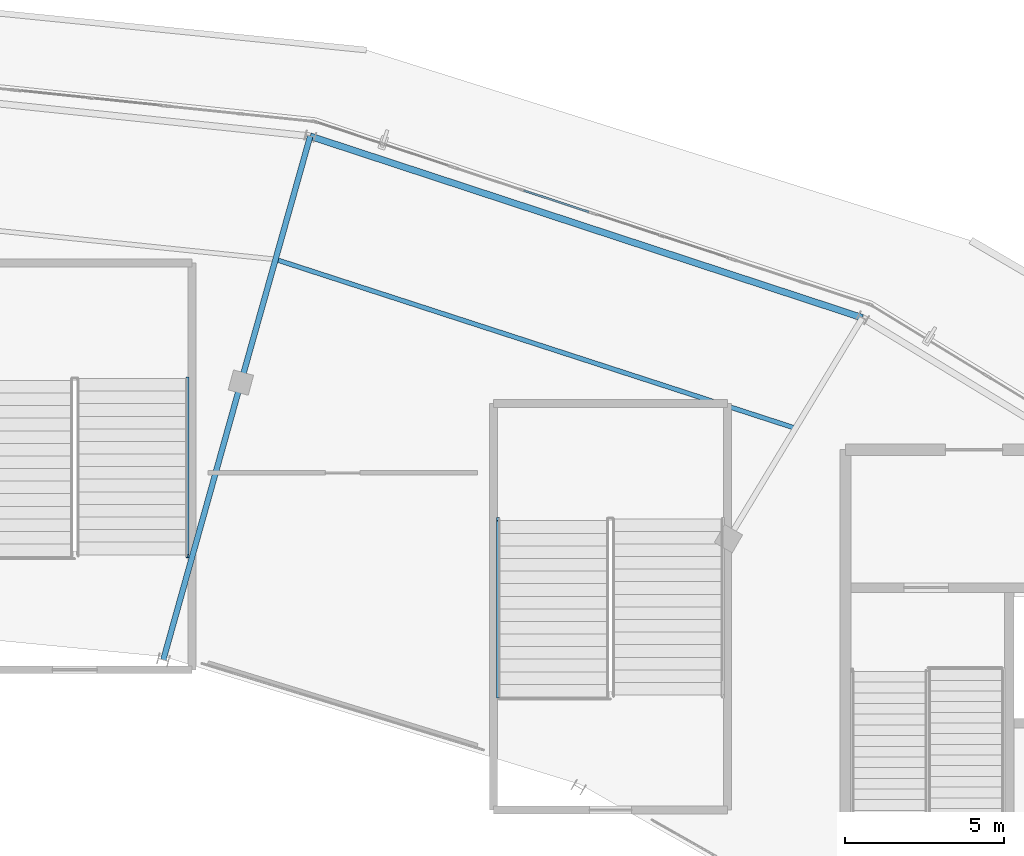
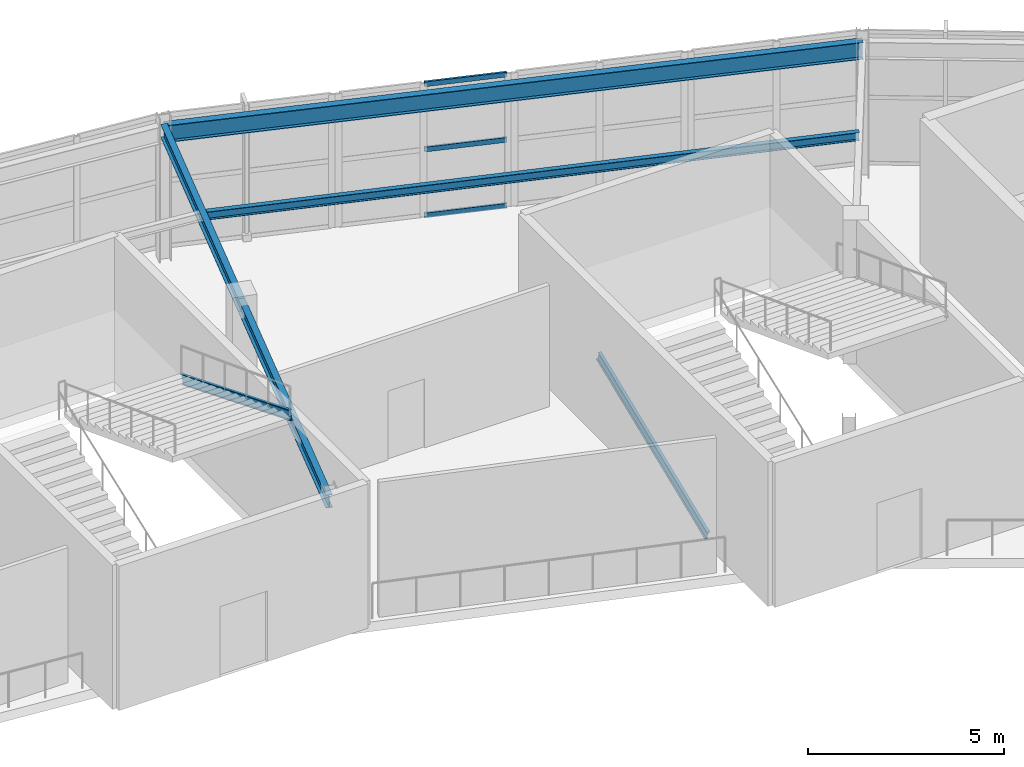
# One storey, part 75 of 126: 5 members, 4 beams, 1 element without a shape of its own.
"""IFC4 building model written with IfcOpenShell, lengths in metres."""

from ifc_helpers import new_model, si_unit, direction, frame, origin, origin_2d, place, context, subcontext, project, spatial, hollow_rectangle, i_section, extrude, material, layer, layer_set, material_profile, profile_set, type_object, element, aggregate, save


model = new_model("IFC4")

# Units and contexts
model_context = context("Model", 3, precision=1e-05, world=origin(), true_north=direction((0.0, 1.0)))
body_context = subcontext(model_context, "Body", "Model", "MODEL_VIEW")
ifc_project = project(units=[si_unit("LENGTHUNIT", "METRE"), si_unit("AREAUNIT", "SQUARE_METRE"), si_unit("VOLUMEUNIT", "CUBIC_METRE"), si_unit("PLANEANGLEUNIT", "RADIAN"), si_unit("MASSUNIT", "GRAM", prefix="KILO")], contexts=[model_context])

# Site, building, storey
site_placement = place(None, origin())
site = spatial("IfcSite", under=ifc_project, at=site_placement, CompositionType="ELEMENT")
building_placement = place(site_placement, origin())
building = spatial("IfcBuilding", under=site, at=building_placement, Name="Kalgoora Escarpment Arena", CompositionType="ELEMENT")
storey_placement = place(building_placement, frame((0.0, 0.0, 18.89990234375)))
storey = spatial("IfcBuildingStorey", under=building, at=storey_placement, Name="L04", CompositionType="ELEMENT", Elevation=18.89990234375)

# Beams
ifc_material_1 = material(Name="Structural steel AS/NZS 3679 (300 MPa)", Category="steel")
ifc_material_profile_1 = material_profile(ifc_material_1, i_section(OverallWidth=0.14599609375, OverallDepth=0.256103515625, WebThickness=0.00634765625, FlangeThickness=0.010986328125, at=origin_2d()))
ifc_profile_set_1 = profile_set([ifc_material_profile_1], Name="Structural steel AS/NZS 3679 (300 MPa)")
beam_type_1 = type_object("IfcBeamType", Name="BM-BEAM-250UB37.3", PredefinedType="BEAM", material=ifc_profile_set_1)
beam_1_placement = place(storey_placement, frame((126.199951171875, 109.8994140625, 4.08203125), z_axis=(-0.951103123122, 0.308873516489, 0.0), x_axis=(-0.308873516489, -0.951103123122, 0.0)))
element("IfcBeam", 1, at=beam_1_placement, inside=storey, type_object=beam_type_1, Name="L04 Concourse secondary ring beam 250UB37.3", PredefinedType="BEAM", context=body_context, shape_type="SweptSolid", body=[
    extrude(i_section(OverallWidth=0.14599609375, OverallDepth=0.256103515625, WebThickness=0.00634765625, FlangeThickness=0.010986328125, at=origin_2d()), origin(), (0.0, 0.0, 1.0), 17.141845703125),
])
ifc_material_2 = material(Name="Structural steel AS/NZS 3679 (300 MPa)", Category="steel")
ifc_material_profile_2 = material_profile(ifc_material_2, i_section(OverallWidth=0.177978515625, OverallDepth=0.406005859375, WebThickness=0.0078125, FlangeThickness=0.0126953125, at=origin_2d()))
ifc_profile_set_2 = profile_set([ifc_material_profile_2], Name="Structural steel AS/NZS 3679 (300 MPa)")
beam_type_2 = type_object("IfcBeamType", Name="BM-GIRDER-410UB59.7", PredefinedType="USERDEFINED", material=ifc_profile_set_2)
beam_2_placement = place(storey_placement, frame((106.376220703125, 102.636962890625, 4.007080078125), z_axis=(0.269498512386, 0.963000805722, 0.0), x_axis=(-0.963000805722, 0.269498512386, 0.0)))
element("IfcBeam", 2, at=beam_2_placement, inside=storey, type_object=beam_type_2, Name="L04 Radial concourse girder 410UB59.7", ObjectType="GIRDER", PredefinedType="USERDEFINED", context=body_context, shape_type="SweptSolid", body=[
    extrude(i_section(OverallWidth=0.177978515625, OverallDepth=0.406005859375, WebThickness=0.0078125, FlangeThickness=0.0126953125, at=origin_2d()), origin(), (0.0, 0.0, 1.0), 9.02734375),
])
beam_3_placement = place(storey_placement, frame((108.80908203125, 111.330322265625, 4.007080078125), z_axis=(0.27082660355, 0.962628147734, 0.0), x_axis=(-0.962628147734, 0.27082660355, 0.0)))
element("IfcBeam", 3, at=beam_3_placement, inside=storey, type_object=beam_type_2, Name="L04 Radial concourse girder 410UB59.7", ObjectType="GIRDER", PredefinedType="USERDEFINED", context=body_context, shape_type="SweptSolid", body=[
    extrude(i_section(OverallWidth=0.177978515625, OverallDepth=0.406005859375, WebThickness=0.0078125, FlangeThickness=0.0126953125, at=origin_2d()), origin(), (0.0, 0.0, 1.0), 8.027587890625),
])
ifc_material_3 = material(Name="Structural steel AS/NZS 3679 (300 MPa)", Category="steel")
ifc_material_profile_3 = material_profile(ifc_material_3, i_section(OverallWidth=0.208984375, OverallDepth=0.532958984375, WebThickness=0.01025390625, FlangeThickness=0.015625, at=origin_2d()))
ifc_profile_set_3 = profile_set([ifc_material_profile_3], Name="Structural steel AS/NZS 3679 (300 MPa)")
beam_type_3 = type_object("IfcBeamType", Name="BM-SPANDREL-530UB92.4", PredefinedType="SPANDREL", material=ifc_profile_set_3)
beam_4_placement = place(storey_placement, frame((128.300048828125, 113.36328125, 3.943603515625), z_axis=(-0.949954555117, 0.312388129115, 0.0), x_axis=(-0.312388129115, -0.949954555117, 0.0)))
element("IfcBeam", 4, at=beam_4_placement, inside=storey, type_object=beam_type_3, Name="L04 Circumferential concourse girder RCONC2 530UB92.4", PredefinedType="SPANDREL", context=body_context, shape_type="SweptSolid", body=[
    extrude(i_section(OverallWidth=0.208984375, OverallDepth=0.532958984375, WebThickness=0.01025390625, FlangeThickness=0.015625, at=origin_2d()), origin(), (0.0, 0.0, 1.0), 18.229248046875),
])

# Curtain wall, members
ifc_material_4 = material(Name=" Champagne anodised aluminium & double-glazed low-E", Category="aluminium")
ifc_layer = layer(ifc_material_4, 0.162109375)
ifc_layer_set = layer_set([ifc_layer], Name="CW-UNIT-08")
curtain_wall_type = type_object("IfcCurtainWallType", Name="CW-UNIT-08", PredefinedType="NOTDEFINED", material=ifc_layer_set)
curtain_wall_placement = place(storey_placement, origin())
curtain_wall = element("IfcCurtainWall", 5, at=curtain_wall_placement, inside=storey, type_object=curtain_wall_type, Name="L04 unitised facade curtain wall 167", PredefinedType="NOTDEFINED")
ifc_material_5 = material(Name="Anodised aluminium 6063-T6", Category="aluminium")
ifc_material_profile_4 = material_profile(ifc_material_5, hollow_rectangle(XDim=0.06005859375, YDim=0.14990234375, WallThickness=0.00341796875, at=origin_2d()))
ifc_profile_set_4 = profile_set([ifc_material_profile_4], Name="Anodised aluminium 6063-T6")
member_type_1 = type_object("IfcMemberType", Name="MEM-CW-TRAN-150", PredefinedType="USERDEFINED", material=ifc_profile_set_4)
member_1_placement = place(storey_placement, frame((117.679931640625, 117.355224609375, 0.050048828125), z_axis=(0.949756275184, -0.312990443543, 0.0), x_axis=(0.312990443543, 0.949756275184, 0.0)))
member_1 = element("IfcMember", 6, at=member_1_placement, type_object=member_type_1, Name="CW-08 transom 2.1", ObjectType="TRANSOM", PredefinedType="USERDEFINED", context=body_context, shape_type="SweptSolid", body=[
    extrude(hollow_rectangle(XDim=0.06005859375, YDim=0.14990234375, WallThickness=0.00341796875, at=origin_2d()), origin(), (0.0, 0.0, 1.0), 2.150634765625),
])
member_2_placement = place(storey_placement, frame((117.679931640625, 117.355224609375, 2.10498046875), z_axis=(0.949756275184, -0.312990443543, 0.0), x_axis=(0.312990443543, 0.949756275184, 0.0)))
member_2 = element("IfcMember", 7, at=member_2_placement, type_object=member_type_1, Name="CW-08 transom 2.2", ObjectType="TRANSOM", PredefinedType="USERDEFINED", context=body_context, shape_type="SweptSolid", body=[
    extrude(hollow_rectangle(XDim=0.06005859375, YDim=0.14990234375, WallThickness=0.00341796875, at=origin_2d()), origin(), (0.0, 0.0, 1.0), 2.150634765625),
])
member_3_placement = place(storey_placement, frame((117.679931640625, 117.355224609375, 4.14013671875), z_axis=(0.949756275184, -0.312990443543, 0.0), x_axis=(0.312990443543, 0.949756275184, 0.0)))
member_3 = element("IfcMember", 8, at=member_3_placement, type_object=member_type_1, Name="CW-08 transom 2.3", ObjectType="TRANSOM", PredefinedType="USERDEFINED", context=body_context, shape_type="SweptSolid", body=[
    extrude(hollow_rectangle(XDim=0.06005859375, YDim=0.14990234375, WallThickness=0.00341796875, at=origin_2d()), origin(), (0.0, 0.0, 1.0), 2.150634765625),
])
aggregate(curtain_wall, [member_1, member_2, member_3])

# Members
ifc_material_6 = material(Name="Structural steel AS/NZS 3679 (300 MPa)", Category="steel")
ifc_material_profile_5 = material_profile(ifc_material_6, i_section(OverallWidth=0.090087890625, OverallDepth=0.300048828125, WebThickness=0.008056640625, FlangeThickness=0.01611328125, at=origin_2d()))
ifc_profile_set_5 = profile_set([ifc_material_profile_5], Name="Structural steel AS/NZS 3679 (300 MPa)")
member_type_2 = type_object("IfcMemberType", Name="MEM-STRINGER-PFC", PredefinedType="STRINGER", material=ifc_profile_set_5)
for number, where, z_axis, x_axis, name in (
    (9, (107.1298828125, 111.449951171875, 2.210205078125), (0.0, -0.926975796404, 0.375121144273), (1.0, 0.0, 0.0), "ST11 L04 steel stair stringer 2"),
    (10, (116.8701171875, 101.489990234375, -0.039794921875), (0.0, 0.926975796404, 0.375121144273), (-1.0, 0.0, 0.0), "ST12 L04 steel stair stringer 1"),
):
    element("IfcMember", number, at=place(storey_placement, frame(where, z_axis=z_axis, x_axis=x_axis)), inside=storey, type_object=member_type_2, Name=name, PredefinedType="STRINGER", context=body_context, shape_type="SweptSolid", body=[
        extrude(i_section(OverallWidth=0.090087890625, OverallDepth=0.300048828125, WebThickness=0.008056640625, FlangeThickness=0.01611328125, at=origin_2d()), origin(), (0.0, 0.0, 1.0), 5.998046875),
    ])

save(model, "model.ifc")
